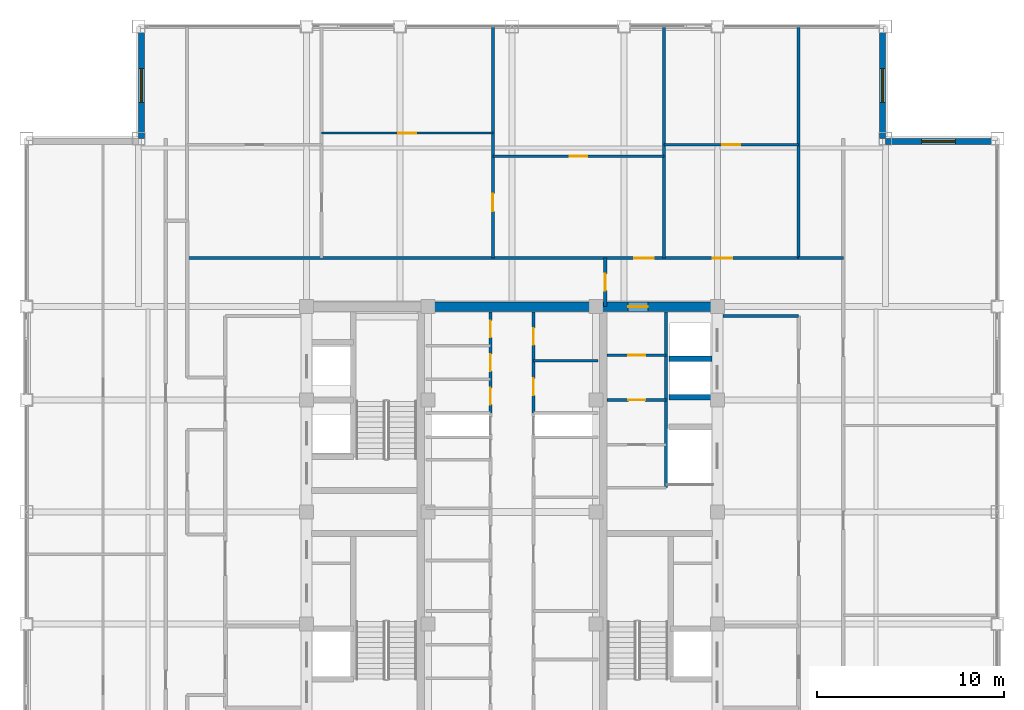
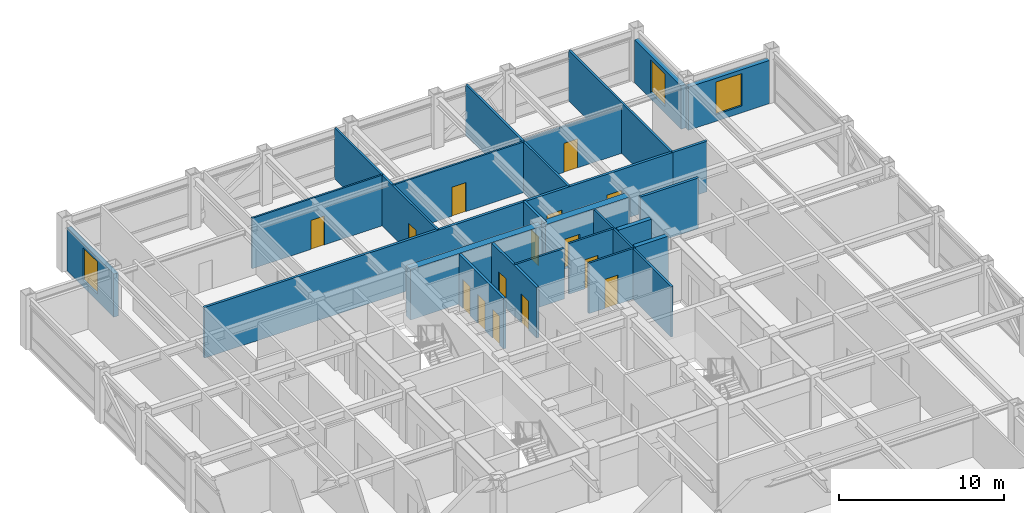
# One storey, part 27 of 29: 23 walls, 15 doors, 3 windows, 18 openings.
"""IFC4 building model written with IfcOpenShell, lengths in metres."""

from ifc_helpers import new_model, si_unit, direction, frame, frame_2d, origin, place, context, subcontext, project, spatial, rectangle, extrude, source, transform, mapped, material, layer, layer_set, type_object, element, fill, save


model = new_model("IFC4")

# Units and contexts
model_context = context("Model", 3, precision=1e-05, world=origin(), true_north=direction((0.0, 1.0)))
body_context = subcontext(model_context, "Body", "Model", "MODEL_VIEW")
ifc_project = project(units=[si_unit("LENGTHUNIT", "METRE"), si_unit("AREAUNIT", "SQUARE_METRE"), si_unit("VOLUMEUNIT", "CUBIC_METRE"), si_unit("PLANEANGLEUNIT", "RADIAN"), si_unit("MASSUNIT", "GRAM", prefix="KILO")], contexts=[model_context])

# Site, building, storey
site_placement = place(None, origin())
site = spatial("IfcSite", under=ifc_project, at=site_placement, CompositionType="ELEMENT")
building_placement = place(site_placement, origin())
building = spatial("IfcBuilding", under=site, at=building_placement, Name="Khorayat Bourse Tower", CompositionType="ELEMENT")
storey_placement = place(building_placement, frame((0.0, 0.0, 362.300048828125)))
storey = spatial("IfcBuildingStorey", under=building, at=storey_placement, Name="L86", CompositionType="ELEMENT", Elevation=362.300048828125)

# Wall, opening, door
ifc_material_1 = material(Name="Concrete C52/65", Category="concrete")
ifc_layer_1 = layer(ifc_material_1, 0.5)
ifc_layer_set_1 = layer_set([ifc_layer_1], Name="Concrete C52/65")
wall_type_1 = type_object("IfcWallType", Name="WAL-CORE-500", PredefinedType="SHEAR", material=ifc_layer_set_1)
shared_shape_1 = source(origin(), body_context, "Body", "SweptSolid", [
    extrude(rectangle(XDim=5.89990234375, YDim=0.5, at=frame_2d((2.949951171875, 0.0))), origin(), (0.0, 0.0, 1.0), 3.739990234375),
])
wall_1_placement = place(storey_placement, frame((4.85009765625, 11.0, 0.0), z_axis=(0.0, 0.0, 1.0), x_axis=(1.0, 0.0, 0.0)))
wall_1 = element("IfcWall", 1, at=wall_1_placement, inside=storey, type_object=wall_type_1, Name="L86 Core Shear Wall PIER-EN", PredefinedType="SHEAR", context=body_context, shape_type="MappedRepresentation", body=[
    mapped(shared_shape_1, transform((0.0, 0.0, 0.0), scale=1.0)),
])
shared_shape_2 = source(origin(), body_context, "Body", "SweptSolid", [
    extrude(rectangle(XDim=1.050048828125, YDim=2.199951171875, at=frame_2d((0.52490234375, 1.10009765625))), frame((0.0, 0.260009765625, 0.0), z_axis=(0.0, -1.0, 0.0), x_axis=(1.0, 0.0, 0.0)), (0.0, 0.0, 1.0), 0.52001953125),
])
opening_1_placement = place(wall_1_placement, frame((1.375, 0.0, 0.0)))
opening_1 = element("IfcOpeningElement", 2, at=opening_1_placement, cuts=wall_1, Name="Opening DI-04", PredefinedType="OPENING", context=body_context, shape_type="MappedRepresentation", body=[
    mapped(shared_shape_2, transform((0.0, 0.0, 0.0), scale=1.0)),
])
ifc_material_2 = material(Name="Fire-rated oak veneer suite entrance door")
door_type_1 = type_object("IfcDoorType", Name="DR-INT-SUITE-1050", OperationType="NOTDEFINED", PredefinedType="DOOR", material=ifc_material_2)
shared_shape_3 = source(origin(), body_context, "Body", "SweptSolid", [
    extrude(rectangle(XDim=1.050048828125, YDim=2.199951171875, at=frame_2d((0.52490234375, 1.10009765625))), frame((0.0, 0.02490234375, 0.0), z_axis=(0.0, -1.0, 0.0), x_axis=(1.0, 0.0, 0.0)), (0.0, 0.0, 1.0), 0.050048828125),
])
door_1_placement = place(opening_1_placement, origin())
door_1 = element("IfcDoor", 3, at=door_1_placement, inside=storey, type_object=door_type_1, Name="L86 Core Washroom Lobby Door", OperationType="SINGLE_SWING_LEFT", OverallHeight=2.199951171875, OverallWidth=1.050048828125, PredefinedType="DOOR", context=body_context, shape_type="MappedRepresentation", body=[
    mapped(shared_shape_3, transform((0.0, 0.0, 0.0), scale=1.0)),
])
fill(opening_1, door_1)

# Wall
shared_shape_4 = source(origin(), body_context, "Body", "SweptSolid", [
    extrude(rectangle(XDim=9.2001953125, YDim=0.5, at=frame_2d((4.60009765625, 0.0))), origin(), (0.0, 0.0, 1.0), 3.739990234375),
])
wall_2_placement = place(storey_placement, frame((-4.60009765625, 11.0, 0.0), z_axis=(0.0, 0.0, 1.0), x_axis=(1.0, 0.0, 0.0)))
element("IfcWall", 4, at=wall_2_placement, inside=storey, type_object=wall_type_1, Name="L86 Core Shear Wall CORE-N", PredefinedType="SHEAR", context=body_context, shape_type="MappedRepresentation", body=[
    mapped(shared_shape_4, transform((0.0, 0.0, 0.0), scale=1.0)),
])

# Wall, opening, window
ifc_material_3 = material(Name="Precast concrete C45/55", Category="concrete")
ifc_layer_2 = layer(ifc_material_3, 0.320068359375)
ifc_layer_set_2 = layer_set([ifc_layer_2], Name="Precast concrete C45/55")
wall_type_2 = type_object("IfcWallType", Name="WAL-EXT-STONE-320", PredefinedType="STANDARD", material=ifc_layer_set_2)
shared_shape_5 = source(origin(), body_context, "Body", "SweptSolid", [
    extrude(rectangle(XDim=5.679931640625, YDim=0.320068359375, at=frame_2d((2.83984375, 0.0))), origin(), (0.0, 0.0, 1.0), 3.19091796875),
])
wall_3_placement = place(storey_placement, frame((20.0, 19.840087890625, 0.0), z_axis=(0.0, 0.0, 1.0), x_axis=(1.0, 0.0, 0.0)))
wall_3 = element("IfcWall", 5, at=wall_3_placement, inside=storey, type_object=wall_type_2, Name="L86 Re-Entrant Notch Limestone Wall NE-H", PredefinedType="STANDARD", context=body_context, shape_type="MappedRepresentation", body=[
    mapped(shared_shape_5, transform((0.0, 0.0, 0.0), scale=1.0)),
])
shared_shape_6 = source(origin(), body_context, "Body", "SweptSolid", [
    extrude(rectangle(XDim=1.800048828125, YDim=2.39990234375, at=frame_2d((0.89990234375, 1.199951171875))), frame((0.0, 0.169921875, 0.0), z_axis=(0.0, -1.0, 0.0), x_axis=(1.0, 0.0, 0.0)), (0.0, 0.0, 1.0), 0.340087890625),
])
opening_2_placement = place(wall_3_placement, frame((1.93994140625, 0.0, 0.5)))
opening_2 = element("IfcOpeningElement", 6, at=opening_2_placement, cuts=wall_3, Name="Opening WN-04", PredefinedType="OPENING", context=body_context, shape_type="MappedRepresentation", body=[
    mapped(shared_shape_6, transform((0.0, 0.0, 0.0), scale=1.0)),
])
ifc_material_4 = material(Name="Low-E acoustic laminated double glazing", Category="glass")
window_type = type_object("IfcWindowType", Name="WIN-NOTCH-1800x2400", PartitioningType="SINGLE_PANEL", PredefinedType="WINDOW", material=ifc_material_4)
shared_shape_7 = source(origin(), body_context, "Body", "SweptSolid", [
    extrude(rectangle(XDim=1.800048828125, YDim=2.39990234375, at=frame_2d((0.89990234375, 1.199951171875))), frame((0.0, 0.030029296875, 0.0), z_axis=(0.0, -1.0, 0.0), x_axis=(1.0, 0.0, 0.0)), (0.0, 0.0, 1.0), 0.06005859375),
])
window_1_placement = place(opening_2_placement, origin())
window_1 = element("IfcWindow", 7, at=window_1_placement, inside=storey, type_object=window_type, Name="L86 Facade Window 1", OverallHeight=2.39990234375, OverallWidth=1.800048828125, PartitioningType="SINGLE_PANEL", PredefinedType="WINDOW", context=body_context, shape_type="MappedRepresentation", body=[
    mapped(shared_shape_7, transform((0.0, 0.0, 0.0), scale=1.0)),
])
fill(opening_2, window_1)

wall_4_placement = place(storey_placement, frame((19.840087890625, 20.0, 0.0), z_axis=(0.0, 0.0, 1.0), x_axis=(0.0, 1.0, 0.0)))
wall_4 = element("IfcWall", 8, at=wall_4_placement, inside=storey, type_object=wall_type_2, Name="L86 Re-Entrant Notch Limestone Wall NE-V", PredefinedType="STANDARD", context=body_context, shape_type="MappedRepresentation", body=[
    mapped(shared_shape_5, transform((0.0, 0.0, 0.0), scale=1.0)),
])
opening_3_placement = place(wall_4_placement, frame((1.93994140625, 0.0, 0.5)))
opening_3 = element("IfcOpeningElement", 9, at=opening_3_placement, cuts=wall_4, Name="Opening WN-04", PredefinedType="OPENING", context=body_context, shape_type="MappedRepresentation", body=[
    mapped(shared_shape_6, transform((0.0, 0.0, 0.0), scale=1.0)),
])
window_2_placement = place(opening_3_placement, origin())
window_2 = element("IfcWindow", 10, at=window_2_placement, inside=storey, type_object=window_type, Name="L86 Facade Window 1", OverallHeight=2.39990234375, OverallWidth=1.800048828125, PartitioningType="SINGLE_PANEL", PredefinedType="WINDOW", context=body_context, shape_type="MappedRepresentation", body=[
    mapped(shared_shape_7, transform((0.0, 0.0, 0.0), scale=1.0)),
])
fill(opening_3, window_2)

wall_5_placement = place(storey_placement, frame((-19.840087890625, 20.0, 0.0), z_axis=(0.0, 0.0, 1.0), x_axis=(0.0, 1.0, 0.0)))
wall_5 = element("IfcWall", 11, at=wall_5_placement, inside=storey, type_object=wall_type_2, Name="L86 Re-Entrant Notch Limestone Wall NW-V", PredefinedType="STANDARD", context=body_context, shape_type="MappedRepresentation", body=[
    mapped(shared_shape_5, transform((0.0, 0.0, 0.0), scale=1.0)),
])
opening_4_placement = place(wall_5_placement, frame((1.93994140625, 0.0, 0.5)))
opening_4 = element("IfcOpeningElement", 12, at=opening_4_placement, cuts=wall_5, Name="Opening WN-04", PredefinedType="OPENING", context=body_context, shape_type="MappedRepresentation", body=[
    mapped(shared_shape_6, transform((0.0, 0.0, 0.0), scale=1.0)),
])
window_3_placement = place(opening_4_placement, origin())
window_3 = element("IfcWindow", 13, at=window_3_placement, inside=storey, type_object=window_type, Name="L86 Facade Window 1", OverallHeight=2.39990234375, OverallWidth=1.800048828125, PartitioningType="SINGLE_PANEL", PredefinedType="WINDOW", context=body_context, shape_type="MappedRepresentation", body=[
    mapped(shared_shape_7, transform((0.0, 0.0, 0.0), scale=1.0)),
])
fill(opening_4, window_3)

# Walls
ifc_material_5 = material(Name="Concrete C50/60", Category="concrete")
ifc_layer_3 = layer(ifc_material_5, 0.300048828125)
ifc_layer_set_3 = layer_set([ifc_layer_3], Name="Concrete C50/60")
wall_type_3 = type_object("IfcWallType", Name="WAL-SHAFT-300", PredefinedType="SHEAR", material=ifc_layer_set_3)
shared_shape_8 = source(origin(), body_context, "Body", "SweptSolid", [
    extrude(rectangle(XDim=2.300048828125, YDim=0.300048828125, at=frame_2d((1.14990234375, 0.0))), origin(), (0.0, 0.0, 1.0), 3.739990234375),
])
for number, where, z_axis, x_axis, name in (
    (14, (8.39990234375, 6.14990234375, 0.0), (0.0, 0.0, 1.0), (1.0, 0.0, 0.0), "L86 Partition WAL-L86-EPIER-H3S"),
    (15, (8.39990234375, 8.199951171875, 0.0), (0.0, 0.0, 1.0), (1.0, 0.0, 0.0), "L86 Partition WAL-L86-EPIER-H34"),
):
    element("IfcWall", number, at=place(storey_placement, frame(where, z_axis=z_axis, x_axis=x_axis)), inside=storey, type_object=wall_type_3, Name=name, PredefinedType="SHEAR", context=body_context, shape_type="MappedRepresentation", body=[
        mapped(shared_shape_8, transform((0.0, 0.0, 0.0), scale=1.0)),
    ])
ifc_material_6 = material(Name="Moisture-resistant masonry partition", Category="masonry")
ifc_layer_4 = layer(ifc_material_6, 0.139892578125)
ifc_layer_set_4 = layer_set([ifc_layer_4], Name="Moisture-resistant masonry partition")
wall_type_4 = type_object("IfcWallType", Name="WAL-PART-WET-140", PredefinedType="PARTITIONING", material=ifc_layer_set_4)
shared_shape_9 = source(origin(), body_context, "Body", "SweptSolid", [
    extrude(rectangle(XDim=9.39990234375, YDim=0.139892578125, at=frame_2d((4.699951171875, 0.0))), origin(), (0.0, 0.0, 1.0), 3.739990234375),
])
wall_6_placement = place(storey_placement, frame((8.25, 1.300048828125, 0.0), z_axis=(0.0, 0.0, 1.0), x_axis=(0.0, 1.0, 0.0)))
element("IfcWall", 16, at=wall_6_placement, inside=storey, type_object=wall_type_4, Name="L86 Partition WAL-L86-ECORE-E", PredefinedType="PARTITIONING", context=body_context, shape_type="MappedRepresentation", body=[
    mapped(shared_shape_9, transform((0.0, 0.0, 0.0), scale=1.0)),
])

# Wall, opening, door
shared_shape_10 = source(origin(), body_context, "Body", "SweptSolid", [
    extrude(rectangle(XDim=3.14990234375, YDim=0.139892578125, at=frame_2d((1.574951171875, 0.0))), origin(), (0.0, 0.0, 1.0), 3.739990234375),
])
wall_7_placement = place(storey_placement, frame((5.10009765625, 8.39990234375, 0.0), z_axis=(0.0, 0.0, 1.0), x_axis=(1.0, 0.0, 0.0)))
wall_7 = element("IfcWall", 17, at=wall_7_placement, inside=storey, type_object=wall_type_4, Name="L86 Partition WAL-L86-ECW-TOP", PredefinedType="PARTITIONING", context=body_context, shape_type="MappedRepresentation", body=[
    mapped(shared_shape_10, transform((0.0, 0.0, 0.0), scale=1.0)),
])
shared_shape_11 = source(origin(), body_context, "Body", "SweptSolid", [
    extrude(rectangle(XDim=0.89990234375, YDim=2.14990234375, at=frame_2d((0.449951171875, 1.074951171875))), frame((0.0, 0.079833984375, 0.0), z_axis=(0.0, -1.0, 0.0), x_axis=(1.0, 0.0, 0.0)), (0.0, 0.0, 1.0), 0.159912109375),
])
opening_5_placement = place(wall_7_placement, frame((1.1298828125, 0.0, 0.0)))
opening_5 = element("IfcOpeningElement", 18, at=opening_5_placement, cuts=wall_7, Name="Opening DI-06", PredefinedType="OPENING", context=body_context, shape_type="MappedRepresentation", body=[
    mapped(shared_shape_11, transform((0.0, 0.0, 0.0), scale=1.0)),
])
ifc_material_7 = material(Name="Moisture-resistant laminate washroom door")
door_type_2 = type_object("IfcDoorType", Name="DR-INT-WC-900", OperationType="NOTDEFINED", PredefinedType="DOOR", material=ifc_material_7)
shared_shape_12 = source(origin(), body_context, "Body", "SweptSolid", [
    extrude(rectangle(XDim=0.89990234375, YDim=2.14990234375, at=frame_2d((0.449951171875, 1.074951171875))), frame((0.0, 0.02490234375, 0.0), z_axis=(0.0, -1.0, 0.0), x_axis=(1.0, 0.0, 0.0)), (0.0, 0.0, 1.0), 0.050048828125),
])
door_2_placement = place(opening_5_placement, origin())
door_2 = element("IfcDoor", 19, at=door_2_placement, inside=storey, type_object=door_type_2, Name="L86 Accessible WC Door", OperationType="SINGLE_SWING_LEFT", OverallHeight=2.14990234375, OverallWidth=0.89990234375, PredefinedType="DOOR", context=body_context, shape_type="MappedRepresentation", body=[
    mapped(shared_shape_12, transform((0.0, 0.0, 0.0), scale=1.0)),
])
fill(opening_5, door_2)

wall_8_placement = place(storey_placement, frame((5.10009765625, 6.0, 0.0), z_axis=(0.0, 0.0, 1.0), x_axis=(1.0, 0.0, 0.0)))
wall_8 = element("IfcWall", 20, at=wall_8_placement, inside=storey, type_object=wall_type_4, Name="L86 Partition WAL-L86-ECW-H1", PredefinedType="PARTITIONING", context=body_context, shape_type="MappedRepresentation", body=[
    mapped(shared_shape_10, transform((0.0, 0.0, 0.0), scale=1.0)),
])
opening_6_placement = place(wall_8_placement, frame((1.1298828125, 0.0, 0.0)))
opening_6 = element("IfcOpeningElement", 21, at=opening_6_placement, cuts=wall_8, Name="Opening DI-06", PredefinedType="OPENING", context=body_context, shape_type="MappedRepresentation", body=[
    mapped(shared_shape_11, transform((0.0, 0.0, 0.0), scale=1.0)),
])
door_3_placement = place(opening_6_placement, origin())
door_3 = element("IfcDoor", 22, at=door_3_placement, inside=storey, type_object=door_type_2, Name="L86 Shared Washroom Door", OperationType="SINGLE_SWING_RIGHT", OverallHeight=2.14990234375, OverallWidth=0.89990234375, PredefinedType="DOOR", context=body_context, shape_type="MappedRepresentation", body=[
    mapped(shared_shape_12, transform((0.0, 0.0, 0.0), scale=1.0)),
])
fill(opening_6, door_3)

# Walls
ifc_material_8 = material(Name="Gypsum plasterboard acoustic stud wall")
ifc_layer_5 = layer(ifc_material_8, 0.179931640625)
ifc_layer_set_5 = layer_set([ifc_layer_5], Name="Gypsum plasterboard acoustic stud wall")
wall_type_5 = type_object("IfcWallType", Name="WAL-PART-CORR-180", PredefinedType="PARTITIONING", material=ifc_layer_set_5)
shared_shape_13 = source(origin(), body_context, "Body", "SweptSolid", [
    extrude(rectangle(XDim=4.050048828125, YDim=0.179931640625, at=frame_2d((2.02490234375, 0.0))), origin(), (0.0, 0.0, 1.0), 3.739990234375),
])
wall_9_placement = place(storey_placement, frame((11.300048828125, 10.5, 0.0), z_axis=(0.0, 0.0, 1.0), x_axis=(1.0, 0.0, 0.0)))
element("IfcWall", 23, at=wall_9_placement, inside=storey, type_object=wall_type_5, Name="L86 Partition WAL-L86-ELOB-N", PredefinedType="PARTITIONING", context=body_context, shape_type="MappedRepresentation", body=[
    mapped(shared_shape_13, transform((0.0, 0.0, 0.0), scale=1.0)),
])
shared_shape_14 = source(origin(), body_context, "Body", "SweptSolid", [
    extrude(rectangle(XDim=3.4501953125, YDim=0.139892578125, at=frame_2d((1.72509765625, 0.0))), origin(), (0.0, 0.0, 1.0), 3.739990234375),
])
wall_10_placement = place(storey_placement, frame((1.14990234375, 8.10009765625, 0.0), z_axis=(0.0, 0.0, 1.0), x_axis=(1.0, 0.0, 0.0)))
element("IfcWall", 24, at=wall_10_placement, inside=storey, type_object=wall_type_4, Name="L86 Partition WAL-L86-FB2E-D1", PredefinedType="PARTITIONING", context=body_context, shape_type="MappedRepresentation", body=[
    mapped(shared_shape_14, transform((0.0, 0.0, 0.0), scale=1.0)),
])

# Wall, openings, doors
shared_shape_15 = source(origin(), body_context, "Body", "SweptSolid", [
    extrude(rectangle(XDim=5.39990234375, YDim=0.179931640625, at=frame_2d((2.699951171875, 0.0))), origin(), (0.0, 0.0, 1.0), 3.739990234375),
])
wall_11_placement = place(storey_placement, frame((-1.14990234375, 5.300048828125, 0.0), z_axis=(0.0, 0.0, 1.0), x_axis=(0.0, 1.0, 0.0)))
wall_11 = element("IfcWall", 25, at=wall_11_placement, inside=storey, type_object=wall_type_5, Name="L86 Partition WAL-L86-FB2W-L", PredefinedType="PARTITIONING", context=body_context, shape_type="MappedRepresentation", body=[
    mapped(shared_shape_15, transform((0.0, 0.0, 0.0), scale=1.0)),
])
shared_shape_16 = source(origin(), body_context, "Body", "SweptSolid", [
    extrude(rectangle(XDim=0.89990234375, YDim=2.14990234375, at=frame_2d((0.449951171875, 1.074951171875))), frame((0.0, 0.099853515625, 0.0), z_axis=(0.0, -1.0, 0.0), x_axis=(1.0, 0.0, 0.0)), (0.0, 0.0, 1.0), 0.199951171875),
])
opening_7_placement = place(wall_11_placement, frame((0.449951171875, 0.0, 0.0)))
opening_7 = element("IfcOpeningElement", 26, at=opening_7_placement, cuts=wall_11, Name="Opening DI-06", PredefinedType="OPENING", context=body_context, shape_type="MappedRepresentation", body=[
    mapped(shared_shape_16, transform((0.0, 0.0, 0.0), scale=1.0)),
])
opening_8_placement = place(wall_11_placement, frame((2.25, 0.0, 0.0)))
opening_8 = element("IfcOpeningElement", 27, at=opening_8_placement, cuts=wall_11, Name="Opening DI-06", PredefinedType="OPENING", context=body_context, shape_type="MappedRepresentation", body=[
    mapped(shared_shape_16, transform((0.0, 0.0, 0.0), scale=1.0)),
])
opening_9_placement = place(wall_11_placement, frame((4.050048828125, 0.0, 0.0)))
opening_9 = element("IfcOpeningElement", 28, at=opening_9_placement, cuts=wall_11, Name="Opening DI-06", PredefinedType="OPENING", context=body_context, shape_type="MappedRepresentation", body=[
    mapped(shared_shape_16, transform((0.0, 0.0, 0.0), scale=1.0)),
])
door_4_placement = place(opening_7_placement, origin())
door_4 = element("IfcDoor", 29, at=door_4_placement, inside=storey, type_object=door_type_2, Name="L86 Custody Vault A Door", OperationType="SINGLE_SWING_RIGHT", OverallHeight=2.14990234375, OverallWidth=0.89990234375, PredefinedType="DOOR", context=body_context, shape_type="MappedRepresentation", body=[
    mapped(shared_shape_12, transform((0.0, 0.0, 0.0), scale=1.0)),
])
fill(opening_7, door_4)
door_5_placement = place(opening_8_placement, origin())
door_5 = element("IfcDoor", 30, at=door_5_placement, inside=storey, type_object=door_type_2, Name="L86 Fiber Patch Room Door", OperationType="SINGLE_SWING_LEFT", OverallHeight=2.14990234375, OverallWidth=0.89990234375, PredefinedType="DOOR", context=body_context, shape_type="MappedRepresentation", body=[
    mapped(shared_shape_12, transform((0.0, 0.0, 0.0), scale=1.0)),
])
fill(opening_8, door_5)
door_6_placement = place(opening_9_placement, origin())
door_6 = element("IfcDoor", 31, at=door_6_placement, inside=storey, type_object=door_type_2, Name="L86 Custody Vault B Door", OperationType="SINGLE_SWING_RIGHT", OverallHeight=2.14990234375, OverallWidth=0.89990234375, PredefinedType="DOOR", context=body_context, shape_type="MappedRepresentation", body=[
    mapped(shared_shape_12, transform((0.0, 0.0, 0.0), scale=1.0)),
])
fill(opening_9, door_6)

wall_12_placement = place(storey_placement, frame((1.14990234375, 5.300048828125, 0.0), z_axis=(0.0, 0.0, 1.0), x_axis=(0.0, 1.0, 0.0)))
wall_12 = element("IfcWall", 32, at=wall_12_placement, inside=storey, type_object=wall_type_5, Name="L86 Partition WAL-L86-FB2E-L", PredefinedType="PARTITIONING", context=body_context, shape_type="MappedRepresentation", body=[
    mapped(shared_shape_15, transform((0.0, 0.0, 0.0), scale=1.0)),
])
opening_10_placement = place(wall_12_placement, frame((0.949951171875, 0.0, 0.0)))
opening_10 = element("IfcOpeningElement", 33, at=opening_10_placement, cuts=wall_12, Name="Opening DI-06", PredefinedType="OPENING", context=body_context, shape_type="MappedRepresentation", body=[
    mapped(shared_shape_16, transform((0.0, 0.0, 0.0), scale=1.0)),
])
opening_11_placement = place(wall_12_placement, frame((3.64990234375, 0.0, 0.0)))
opening_11 = element("IfcOpeningElement", 34, at=opening_11_placement, cuts=wall_12, Name="Opening DI-06", PredefinedType="OPENING", context=body_context, shape_type="MappedRepresentation", body=[
    mapped(shared_shape_16, transform((0.0, 0.0, 0.0), scale=1.0)),
])
door_7_placement = place(opening_10_placement, origin())
door_7 = element("IfcDoor", 35, at=door_7_placement, inside=storey, type_object=door_type_2, Name="L86 Core Pantry Store Door", OperationType="SINGLE_SWING_RIGHT", OverallHeight=2.14990234375, OverallWidth=0.89990234375, PredefinedType="DOOR", context=body_context, shape_type="MappedRepresentation", body=[
    mapped(shared_shape_12, transform((0.0, 0.0, 0.0), scale=1.0)),
])
fill(opening_10, door_7)
door_8_placement = place(opening_11_placement, origin())
door_8 = element("IfcDoor", 36, at=door_8_placement, inside=storey, type_object=door_type_2, Name="L86 Chilled Riser Room Door", OperationType="SINGLE_SWING_LEFT", OverallHeight=2.14990234375, OverallWidth=0.89990234375, PredefinedType="DOOR", context=body_context, shape_type="MappedRepresentation", body=[
    mapped(shared_shape_12, transform((0.0, 0.0, 0.0), scale=1.0)),
])
fill(opening_11, door_8)

# Wall, opening, door
shared_shape_17 = source(origin(), body_context, "Body", "SweptSolid", [
    extrude(rectangle(XDim=2.60009765625, YDim=0.179931640625, at=frame_2d((1.300048828125, 0.0))), origin(), (0.0, 0.0, 1.0), 3.739990234375),
])
wall_13_placement = place(storey_placement, frame((5.0, 11.0, 0.0), z_axis=(0.0, 0.0, 1.0), x_axis=(0.0, 1.0, 0.0)))
wall_13 = element("IfcWall", 37, at=wall_13_placement, inside=storey, type_object=wall_type_5, Name="L86 Partition WAL-L86-CORRNE-W", PredefinedType="PARTITIONING", context=body_context, shape_type="MappedRepresentation", body=[
    mapped(shared_shape_17, transform((0.0, 0.0, 0.0), scale=1.0)),
])
opening_12_placement = place(wall_13_placement, frame((0.85009765625, 0.0, 0.0)))
opening_12 = element("IfcOpeningElement", 38, at=opening_12_placement, cuts=wall_13, Name="Opening DI-06", PredefinedType="OPENING", context=body_context, shape_type="MappedRepresentation", body=[
    mapped(shared_shape_16, transform((0.0, 0.0, 0.0), scale=1.0)),
])
door_9_placement = place(opening_12_placement, origin())
door_9 = element("IfcDoor", 39, at=door_9_placement, inside=storey, type_object=door_type_2, Name="L86 North Core Pantry Door", OperationType="SINGLE_SWING_LEFT", OverallHeight=2.14990234375, OverallWidth=0.89990234375, PredefinedType="DOOR", context=body_context, shape_type="MappedRepresentation", body=[
    mapped(shared_shape_12, transform((0.0, 0.0, 0.0), scale=1.0)),
])
fill(opening_12, door_9)

# Wall
shared_shape_18 = source(origin(), body_context, "Body", "SweptSolid", [
    extrude(rectangle(XDim=2.39990234375, YDim=0.179931640625, at=frame_2d((1.199951171875, 0.0))), origin(), (0.0, 0.0, 1.0), 3.739990234375),
])
wall_14_placement = place(storey_placement, frame((15.35009765625, 13.60009765625, 0.0), z_axis=(0.0, 0.0, 1.0), x_axis=(1.0, 0.0, 0.0)))
element("IfcWall", 40, at=wall_14_placement, inside=storey, type_object=wall_type_5, Name="L86 Partition WAL-L86-GALE-N", PredefinedType="PARTITIONING", context=body_context, shape_type="MappedRepresentation", body=[
    mapped(shared_shape_18, transform((0.0, 0.0, 0.0), scale=1.0)),
])

# Wall, opening, door
ifc_material_9 = material(Name="Gypsum plasterboard twin-frame partition")
ifc_layer_6 = layer(ifc_material_9, 0.14990234375)
ifc_layer_set_6 = layer_set([ifc_layer_6], Name="Gypsum plasterboard twin-frame partition")
wall_type_6 = type_object("IfcWallType", Name="WAL-PART-SUITE-150", PredefinedType="PARTITIONING", material=ifc_layer_set_6)
shared_shape_19 = source(origin(), body_context, "Body", "SweptSolid", [
    extrude(rectangle(XDim=12.39990234375, YDim=0.14990234375, at=frame_2d((6.199951171875, 0.0))), origin(), (0.0, 0.0, 1.0), 3.739990234375),
])
wall_15_placement = place(storey_placement, frame((-1.02490234375, 13.60009765625, 0.0), z_axis=(0.0, 0.0, 1.0), x_axis=(0.0, 1.0, 0.0)))
wall_15 = element("IfcWall", 41, at=wall_15_placement, inside=storey, type_object=wall_type_6, Name="L86 Partition WAL-L86-NDV-2", PredefinedType="PARTITIONING", context=body_context, shape_type="MappedRepresentation", body=[
    mapped(shared_shape_19, transform((0.0, 0.0, 0.0), scale=1.0)),
])
shared_shape_20 = source(origin(), body_context, "Body", "SweptSolid", [
    extrude(rectangle(XDim=0.949951171875, YDim=2.14990234375, at=frame_2d((0.47509765625, 1.074951171875))), frame((0.0, 0.0849609375, 0.0), z_axis=(0.0, -1.0, 0.0), x_axis=(1.0, 0.0, 0.0)), (0.0, 0.0, 1.0), 0.169921875),
])
opening_13_placement = place(wall_15_placement, frame((2.5009765625, 0.0, 0.0)))
opening_13 = element("IfcOpeningElement", 42, at=opening_13_placement, cuts=wall_15, Name="Opening DI-05", PredefinedType="OPENING", context=body_context, shape_type="MappedRepresentation", body=[
    mapped(shared_shape_20, transform((0.0, 0.0, 0.0), scale=1.0)),
])
ifc_material_10 = material(Name="Acoustic oak veneer office door")
door_type_3 = type_object("IfcDoorType", Name="DR-INT-OFFICE-950", OperationType="NOTDEFINED", PredefinedType="DOOR", material=ifc_material_10)
shared_shape_21 = source(origin(), body_context, "Body", "SweptSolid", [
    extrude(rectangle(XDim=0.949951171875, YDim=2.14990234375, at=frame_2d((0.47509765625, 1.074951171875))), frame((0.0, 0.02490234375, 0.0), z_axis=(0.0, -1.0, 0.0), x_axis=(1.0, 0.0, 0.0)), (0.0, 0.0, 1.0), 0.050048828125),
])
door_10_placement = place(opening_13_placement, origin())
door_10 = element("IfcDoor", 43, at=door_10_placement, inside=storey, type_object=door_type_3, Name="L86 N Suite Link 2", OperationType="SINGLE_SWING_LEFT", OverallHeight=2.14990234375, OverallWidth=0.949951171875, PredefinedType="DOOR", context=body_context, shape_type="MappedRepresentation", body=[
    mapped(shared_shape_21, transform((0.0, 0.0, 0.0), scale=1.0)),
])
fill(opening_13, door_10)

# Walls
for number, where, z_axis, x_axis, name in (
    (44, (8.14501953125, 13.60009765625, 0.0), (0.0, 0.0, 1.0), (0.0, 1.0, 0.0), "L86 Partition WAL-L86-NDV-3"),
    (45, (15.35009765625, 13.60009765625, 0.0), (0.0, 0.0, 1.0), (0.0, 1.0, 0.0), "L86 Partition WAL-L86-NCE-END"),
):
    element("IfcWall", number, at=place(storey_placement, frame(where, z_axis=z_axis, x_axis=x_axis)), inside=storey, type_object=wall_type_6, Name=name, PredefinedType="PARTITIONING", context=body_context, shape_type="MappedRepresentation", body=[
        mapped(shared_shape_19, transform((0.0, 0.0, 0.0), scale=1.0)),
    ])

# Wall, openings, doors
shared_shape_22 = source(origin(), body_context, "Body", "SweptSolid", [
    extrude(rectangle(XDim=32.75, YDim=0.179931640625, at=frame_2d((16.375, 0.0))), origin(), (0.0, 0.0, 1.0), 3.739990234375),
])
wall_16_placement = place(storey_placement, frame((-17.39990234375, 13.60009765625, 0.0), z_axis=(0.0, 0.0, 1.0), x_axis=(1.0, 0.0, 0.0)))
wall_16 = element("IfcWall", 46, at=wall_16_placement, inside=storey, type_object=wall_type_5, Name="L86 Partition WAL-L86-NCORR", PredefinedType="PARTITIONING", context=body_context, shape_type="MappedRepresentation", body=[
    mapped(shared_shape_22, transform((0.0, 0.0, 0.0), scale=1.0)),
])
shared_shape_23 = source(origin(), body_context, "Body", "SweptSolid", [
    extrude(rectangle(XDim=1.050048828125, YDim=2.199951171875, at=frame_2d((0.52490234375, 1.10009765625))), frame((0.0, 0.099853515625, 0.0), z_axis=(0.0, -1.0, 0.0), x_axis=(1.0, 0.0, 0.0)), (0.0, 0.0, 1.0), 0.199951171875),
])
opening_14_placement = place(wall_16_placement, frame((23.947509765625, 0.0, 0.0)))
opening_14 = element("IfcOpeningElement", 47, at=opening_14_placement, cuts=wall_16, Name="Opening DI-04", PredefinedType="OPENING", context=body_context, shape_type="MappedRepresentation", body=[
    mapped(shared_shape_23, transform((0.0, 0.0, 0.0), scale=1.0)),
])
opening_15_placement = place(wall_16_placement, frame((28.1474609375, 0.0, 0.0)))
opening_15 = element("IfcOpeningElement", 48, at=opening_15_placement, cuts=wall_16, Name="Opening DI-04", PredefinedType="OPENING", context=body_context, shape_type="MappedRepresentation", body=[
    mapped(shared_shape_23, transform((0.0, 0.0, 0.0), scale=1.0)),
])
door_11_placement = place(opening_14_placement, origin())
door_11 = element("IfcDoor", 49, at=door_11_placement, inside=storey, type_object=door_type_1, Name="L86 Market Risk Analytics Workspace N3 Door", OperationType="SINGLE_SWING_RIGHT", OverallHeight=2.199951171875, OverallWidth=1.050048828125, PredefinedType="DOOR", context=body_context, shape_type="MappedRepresentation", body=[
    mapped(shared_shape_3, transform((0.0, 0.0, 0.0), scale=1.0)),
])
fill(opening_14, door_11)
door_12_placement = place(opening_15_placement, origin())
door_12 = element("IfcDoor", 50, at=door_12_placement, inside=storey, type_object=door_type_1, Name="L86 Clearing Operations Office N4 Door", OperationType="SINGLE_SWING_LEFT", OverallHeight=2.199951171875, OverallWidth=1.050048828125, PredefinedType="DOOR", context=body_context, shape_type="MappedRepresentation", body=[
    mapped(shared_shape_3, transform((0.0, 0.0, 0.0), scale=1.0)),
])
fill(opening_15, door_12)

# Wall, opening, door
ifc_material_11 = material(Name="Gypsum plasterboard partition")
ifc_layer_7 = layer(ifc_material_11, 0.125)
ifc_layer_set_7 = layer_set([ifc_layer_7], Name="Gypsum plasterboard partition")
wall_type_7 = type_object("IfcWallType", Name="WAL-PART-ROOM-125", PredefinedType="PARTITIONING", material=ifc_layer_set_7)
shared_shape_24 = source(origin(), body_context, "Body", "SweptSolid", [
    extrude(rectangle(XDim=9.170166015625, YDim=0.125, at=frame_2d((4.5849609375, 0.0))), origin(), (0.0, 0.0, 1.0), 3.739990234375),
])
wall_17_placement = place(storey_placement, frame((-10.195068359375, 20.2958984375, 0.0), z_axis=(0.0, 0.0, 1.0), x_axis=(1.0, 0.0, 0.0)))
wall_17 = element("IfcWall", 51, at=wall_17_placement, inside=storey, type_object=wall_type_7, Name="L86 Partition WAL-L86-NDP-2", PredefinedType="PARTITIONING", context=body_context, shape_type="MappedRepresentation", body=[
    mapped(shared_shape_24, transform((0.0, 0.0, 0.0), scale=1.0)),
])
shared_shape_25 = source(origin(), body_context, "Body", "SweptSolid", [
    extrude(rectangle(XDim=0.949951171875, YDim=2.14990234375, at=frame_2d((0.47509765625, 1.074951171875))), frame((0.0, 0.072509765625, 0.0), z_axis=(0.0, -1.0, 0.0), x_axis=(1.0, 0.0, 0.0)), (0.0, 0.0, 1.0), 0.14501953125),
])
opening_16_placement = place(wall_17_placement, frame((4.110107421875, 0.0, 0.0)))
opening_16 = element("IfcOpeningElement", 52, at=opening_16_placement, cuts=wall_17, Name="Opening DI-05", PredefinedType="OPENING", context=body_context, shape_type="MappedRepresentation", body=[
    mapped(shared_shape_25, transform((0.0, 0.0, 0.0), scale=1.0)),
])
door_13_placement = place(opening_16_placement, origin())
door_13 = element("IfcDoor", 53, at=door_13_placement, inside=storey, type_object=door_type_3, Name="L86 Clearing Operations Office N2B Door", OperationType="SINGLE_SWING_LEFT", OverallHeight=2.14990234375, OverallWidth=0.949951171875, PredefinedType="DOOR", context=body_context, shape_type="MappedRepresentation", body=[
    mapped(shared_shape_21, transform((0.0, 0.0, 0.0), scale=1.0)),
])
fill(opening_16, door_13)

shared_shape_26 = source(origin(), body_context, "Body", "SweptSolid", [
    extrude(rectangle(XDim=9.169921875, YDim=0.125, at=frame_2d((4.5849609375, 0.0))), origin(), (0.0, 0.0, 1.0), 3.739990234375),
])
wall_18_placement = place(storey_placement, frame((-1.02490234375, 19.055908203125, 0.0), z_axis=(0.0, 0.0, 1.0), x_axis=(1.0, 0.0, 0.0)))
wall_18 = element("IfcWall", 54, at=wall_18_placement, inside=storey, type_object=wall_type_7, Name="L86 Partition WAL-L86-NDP-3", PredefinedType="PARTITIONING", context=body_context, shape_type="MappedRepresentation", body=[
    mapped(shared_shape_26, transform((0.0, 0.0, 0.0), scale=1.0)),
])
opening_17_placement = place(wall_18_placement, frame((4.110107421875, 0.0, 0.0)))
opening_17 = element("IfcOpeningElement", 55, at=opening_17_placement, cuts=wall_18, Name="Opening DI-05", PredefinedType="OPENING", context=body_context, shape_type="MappedRepresentation", body=[
    mapped(shared_shape_25, transform((0.0, 0.0, 0.0), scale=1.0)),
])
door_14_placement = place(opening_17_placement, origin())
door_14 = element("IfcDoor", 56, at=door_14_placement, inside=storey, type_object=door_type_3, Name="L86 Staff Tea Pantry N3B Door", OperationType="SINGLE_SWING_RIGHT", OverallHeight=2.14990234375, OverallWidth=0.949951171875, PredefinedType="DOOR", context=body_context, shape_type="MappedRepresentation", body=[
    mapped(shared_shape_21, transform((0.0, 0.0, 0.0), scale=1.0)),
])
fill(opening_17, door_14)

shared_shape_27 = source(origin(), body_context, "Body", "SweptSolid", [
    extrude(rectangle(XDim=7.205078125, YDim=0.125, at=frame_2d((3.6025390625, 0.0))), origin(), (0.0, 0.0, 1.0), 3.39306640625),
])
wall_19_placement = place(storey_placement, frame((8.14501953125, 19.676025390625, 0.0), z_axis=(0.0, 0.0, 1.0), x_axis=(1.0, 0.0, 0.0)))
wall_19 = element("IfcWall", 57, at=wall_19_placement, inside=storey, type_object=wall_type_7, Name="L86 Partition WAL-L86-NDP-4", PredefinedType="PARTITIONING", context=body_context, shape_type="MappedRepresentation", body=[
    mapped(shared_shape_27, transform((0.0, 0.0, 0.0), scale=1.0)),
])
opening_18_placement = place(wall_19_placement, frame((3.12744140625, 0.0, 0.0)))
opening_18 = element("IfcOpeningElement", 58, at=opening_18_placement, cuts=wall_19, Name="Opening DI-05", PredefinedType="OPENING", context=body_context, shape_type="MappedRepresentation", body=[
    mapped(shared_shape_25, transform((0.0, 0.0, 0.0), scale=1.0)),
])
door_15_placement = place(opening_18_placement, origin())
door_15 = element("IfcDoor", 59, at=door_15_placement, inside=storey, type_object=door_type_3, Name="L86 Executive Boardroom N4B Door", OperationType="SINGLE_SWING_LEFT", OverallHeight=2.14990234375, OverallWidth=0.949951171875, PredefinedType="DOOR", context=body_context, shape_type="MappedRepresentation", body=[
    mapped(shared_shape_21, transform((0.0, 0.0, 0.0), scale=1.0)),
])
fill(opening_18, door_15)

save(model, "model.ifc")
